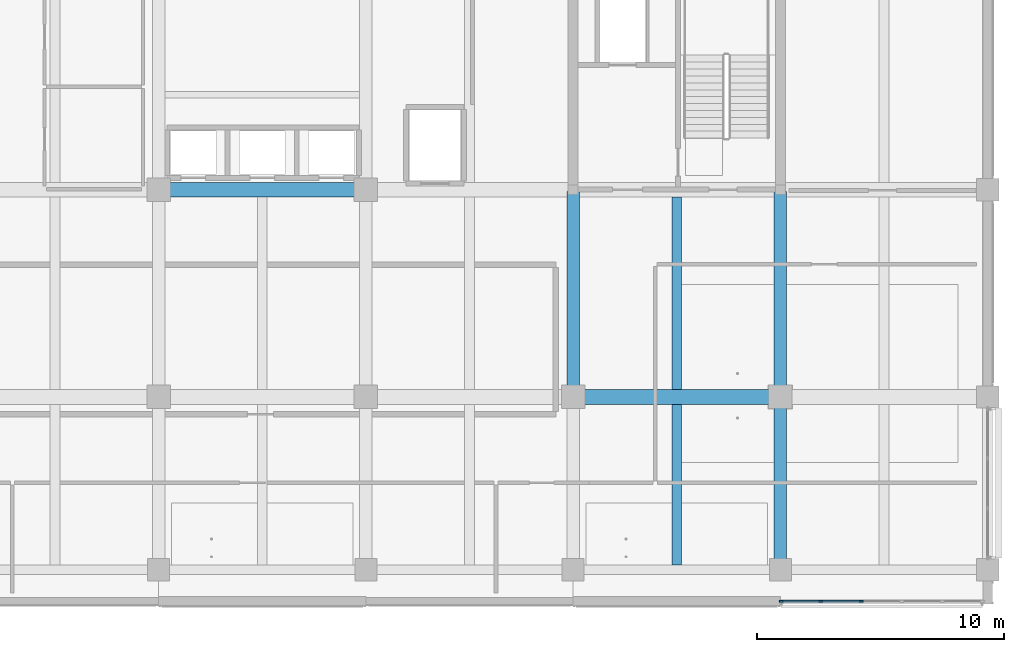
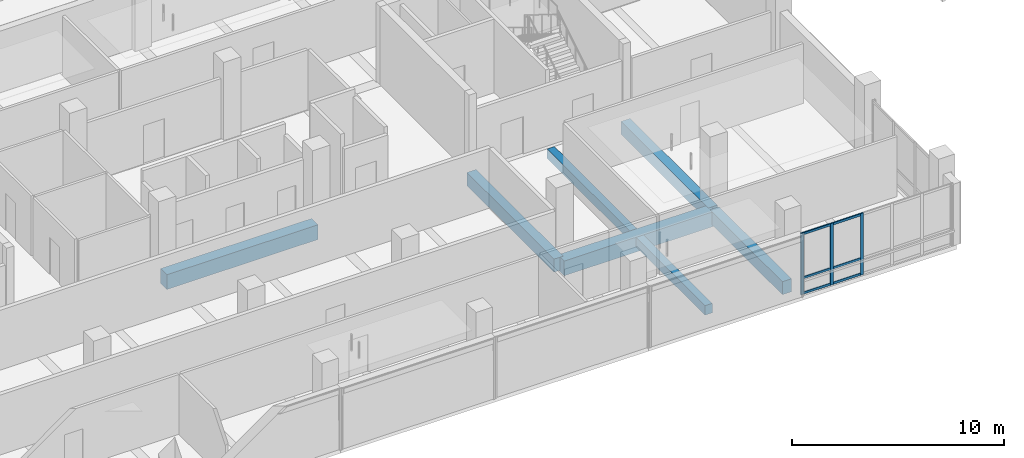
# One storey, part 13 of 59: 9 members, 7 beams, 1 element without a shape of its own.
"""IFC4 building model written with IfcOpenShell, lengths in metres."""

from ifc_helpers import new_model, si_unit, direction, frame, origin, origin_2d, place, context, subcontext, project, spatial, rectangle, extrude, material, layer, layer_set, material_profile, profile_set, type_object, element, aggregate, save


model = new_model("IFC4")

# Units and contexts
model_context = context("Model", 3, precision=1e-05, world=origin(), true_north=direction((0.0, 1.0)))
body_context = subcontext(model_context, "Body", "Model", "MODEL_VIEW")
ifc_project = project(units=[si_unit("LENGTHUNIT", "METRE"), si_unit("AREAUNIT", "SQUARE_METRE"), si_unit("VOLUMEUNIT", "CUBIC_METRE"), si_unit("PLANEANGLEUNIT", "RADIAN"), si_unit("MASSUNIT", "GRAM", prefix="KILO")], contexts=[model_context])

# Site, building, storey
site_placement = place(None, origin())
site = spatial("IfcSite", under=ifc_project, at=site_placement, CompositionType="ELEMENT")
building_placement = place(site_placement, origin())
building = spatial("IfcBuilding", under=site, at=building_placement, Name="Telukmera Botanical Conservatory", CompositionType="ELEMENT")
storey_placement = place(building_placement, frame((0.0, 0.0, 15.0)))
storey = spatial("IfcBuildingStorey", under=building, at=storey_placement, Name="L03", CompositionType="ELEMENT", Elevation=15.0)

# Beams
ifc_material_1 = material(Name="Concrete C40/50", Category="concrete")
ifc_material_profile_1 = material_profile(ifc_material_1, rectangle(XDim=0.60009765625, YDim=0.85009765625, at=origin_2d()), Name="RC 600x850")
ifc_profile_set_1 = profile_set([ifc_material_profile_1], Name="Concrete C40/50")
beam_type_1 = type_object("IfcBeamType", Name="Beam_B11", PredefinedType="BEAM", material=ifc_profile_set_1)
for number, where, z_axis, x_axis, name in (
    (1, (92.47998046875, 17.60009765625, -0.425048828125), (1.0, 0.0, 0.0), (0.0, 1.0, 0.0), "Tower Grid Beam L03"),
    (2, (75.679931640625, 26.0, -0.425048828125), (1.0, 0.0, 0.0), (0.0, 1.0, 0.0), "Tower Grid Beam L03"),
):
    element("IfcBeam", number, at=place(storey_placement, frame(where, z_axis=z_axis, x_axis=x_axis)), inside=storey, type_object=beam_type_1, Name=name, PredefinedType="BEAM", context=body_context, shape_type="SweptSolid", body=[
        extrude(rectangle(XDim=0.60009765625, YDim=0.85009765625, at=origin_2d()), origin(), (0.0, 0.0, 1.0), 8.239990234375),
    ])
ifc_material_profile_2 = material_profile(ifc_material_1, rectangle(XDim=0.5, YDim=0.75, at=origin_2d()), Name="RC 500x750")
ifc_profile_set_2 = profile_set([ifc_material_profile_2], Name="Concrete C40/50")
beam_type_2 = type_object("IfcBeamType", Name="Beam_B13", PredefinedType="BEAM", material=ifc_profile_set_2)
beam_1_placement = place(storey_placement, frame((92.39990234375, 17.679931640625, -0.375), z_axis=(0.0, 1.0, 0.0), x_axis=(-1.0, 0.0, 0.0)))
element("IfcBeam", 3, at=beam_1_placement, inside=storey, type_object=beam_type_2, Name="Tower Transverse Beam L03", PredefinedType="BEAM", context=body_context, shape_type="SweptSolid", body=[
    extrude(rectangle(XDim=0.5, YDim=0.75, at=origin_2d()), origin(), (0.0, 0.0, 1.0), 8.239990234375),
])
beam_2_placement = place(storey_placement, frame((100.800048828125, 10.679931640625, -0.375), z_axis=(0.0, 1.0, 0.0), x_axis=(-1.0, 0.0, 0.0)))
element("IfcBeam", 4, at=beam_2_placement, inside=storey, type_object=beam_type_2, Name="Tower Transverse Beam L03", PredefinedType="BEAM", context=body_context, shape_type="SweptSolid", body=[
    extrude(rectangle(XDim=0.5, YDim=0.75, at=origin_2d()), origin(), (0.0, 0.0, 1.0), 6.840087890625),
])
beam_3_placement = place(storey_placement, frame((100.800048828125, 17.679931640625, -0.375), z_axis=(0.0, 1.0, 0.0), x_axis=(-1.0, 0.0, 0.0)))
element("IfcBeam", 5, at=beam_3_placement, inside=storey, type_object=beam_type_2, Name="Tower Transverse Beam L03", PredefinedType="BEAM", context=body_context, shape_type="SweptSolid", body=[
    extrude(rectangle(XDim=0.5, YDim=0.75, at=origin_2d()), origin(), (0.0, 0.0, 1.0), 8.239990234375),
])
ifc_material_profile_3 = material_profile(ifc_material_1, rectangle(XDim=0.39990234375, YDim=0.550048828125, at=origin_2d()), Name="RC 400x550")
ifc_profile_set_3 = profile_set([ifc_material_profile_3], Name="Concrete C40/50")
beam_type_3 = type_object("IfcBeamType", Name="Beam_B19", PredefinedType="JOIST", material=ifc_profile_set_3)
beam_4_placement = place(storey_placement, frame((96.60009765625, 10.800048828125, -0.27490234375), z_axis=(0.0, 1.0, 0.0), x_axis=(-1.0, 0.0, 0.0)))
element("IfcBeam", 6, at=beam_4_placement, inside=storey, type_object=beam_type_3, Name="Tower Secondary Floor Joist L03", PredefinedType="JOIST", context=body_context, shape_type="SweptSolid", body=[
    extrude(rectangle(XDim=0.39990234375, YDim=0.550048828125, at=origin_2d()), origin(), (0.0, 0.0, 1.0), 6.5),
])
beam_5_placement = place(storey_placement, frame((96.60009765625, 17.89990234375, -0.27490234375), z_axis=(0.0, 1.0, 0.0), x_axis=(-1.0, 0.0, 0.0)))
element("IfcBeam", 7, at=beam_5_placement, inside=storey, type_object=beam_type_3, Name="Tower Secondary Floor Joist L03", PredefinedType="JOIST", context=body_context, shape_type="SweptSolid", body=[
    extrude(rectangle(XDim=0.39990234375, YDim=0.550048828125, at=origin_2d()), origin(), (0.0, 0.0, 1.0), 7.800048828125),
])

# Curtain wall, members
ifc_material_2 = material(Name="Anodised aluminium 6063-T6", Category="aluminium")
ifc_layer = layer(ifc_material_2, 0.179931640625)
ifc_layer_set = layer_set([ifc_layer], Name="Anodised aluminium 6063-T6")
curtain_wall_type = type_object("IfcCurtainWallType", Name="Tower Herbarium Curation Corner Curtain Wall", PredefinedType="USERDEFINED", material=ifc_layer_set)
curtain_wall_placement = place(storey_placement, origin())
curtain_wall = element("IfcCurtainWall", 8, at=curtain_wall_placement, inside=storey, type_object=curtain_wall_type, Name="Unitised Curtain Wall CW14 V4:L03:S7", ObjectType="UNITISED CURTAIN WALL", PredefinedType="USERDEFINED")
ifc_material_profile_4 = material_profile(ifc_material_2, rectangle(XDim=0.06494140625, YDim=0.159912109375, at=origin_2d()), Name="ALU MULL 65x160")
ifc_profile_set_4 = profile_set([ifc_material_profile_4], Name="Anodised aluminium 6063-T6")
member_type_1 = type_object("IfcMemberType", Name="Curtain Wall Extruded Mullion 65x160", PredefinedType="MULLION", material=ifc_profile_set_4)
member_1_placement = place(storey_placement, frame((100.83447265625, 9.320068359375, 0.0), z_axis=(0.0, 0.0, 1.0), x_axis=(0.0, 1.0, 0.0)))
member_1 = element("IfcMember", 9, at=member_1_placement, type_object=member_type_1, Name="CW14 mullion 1", PredefinedType="MULLION", context=body_context, shape_type="SweptSolid", body=[
    extrude(rectangle(XDim=0.06494140625, YDim=0.159912109375, at=origin_2d()), origin(), (0.0, 0.0, 1.0), 3.550048828125),
])
member_2_placement = place(storey_placement, frame((102.443115234375, 9.320068359375, 0.0), z_axis=(0.0, 0.0, 1.0), x_axis=(0.0, 1.0, 0.0)))
member_2 = element("IfcMember", 10, at=member_2_placement, type_object=member_type_1, Name="CW14 mullion 2", PredefinedType="MULLION", context=body_context, shape_type="SweptSolid", body=[
    extrude(rectangle(XDim=0.06494140625, YDim=0.159912109375, at=origin_2d()), origin(), (0.0, 0.0, 1.0), 3.550048828125),
])
member_3_placement = place(storey_placement, frame((104.08447265625, 9.320068359375, 0.0), z_axis=(0.0, 0.0, 1.0), x_axis=(0.0, 1.0, 0.0)))
member_3 = element("IfcMember", 11, at=member_3_placement, type_object=member_type_1, Name="CW14 mullion 3", PredefinedType="MULLION", context=body_context, shape_type="SweptSolid", body=[
    extrude(rectangle(XDim=0.06494140625, YDim=0.159912109375, at=origin_2d()), origin(), (0.0, 0.0, 1.0), 3.550048828125),
])
ifc_material_profile_5 = material_profile(ifc_material_2, rectangle(XDim=0.06494140625, YDim=0.1298828125, at=origin_2d()), Name="ALU TRAN 65x130")
ifc_profile_set_5 = profile_set([ifc_material_profile_5], Name="Anodised aluminium 6063-T6")
member_type_2 = type_object("IfcMemberType", Name="Curtain Wall Extruded Transom 65x130", PredefinedType="USERDEFINED", material=ifc_profile_set_5)
member_4_placement = place(storey_placement, frame((100.866943359375, 9.320068359375, 0.06494140625), z_axis=(1.0, 0.0, 0.0), x_axis=(0.0, 1.0, 0.0)))
member_4 = element("IfcMember", 12, at=member_4_placement, type_object=member_type_2, Name="CW14 transom 1.1", ObjectType="TRANSOM", PredefinedType="USERDEFINED", context=body_context, shape_type="SweptSolid", body=[
    extrude(rectangle(XDim=0.06494140625, YDim=0.1298828125, at=origin_2d()), origin(), (0.0, 0.0, 1.0), 1.543701171875),
])
member_5_placement = place(storey_placement, frame((100.866943359375, 9.320068359375, 0.949951171875), z_axis=(1.0, 0.0, 0.0), x_axis=(0.0, 1.0, 0.0)))
member_5 = element("IfcMember", 13, at=member_5_placement, type_object=member_type_2, Name="CW14 transom 1.2", ObjectType="TRANSOM", PredefinedType="USERDEFINED", context=body_context, shape_type="SweptSolid", body=[
    extrude(rectangle(XDim=0.06494140625, YDim=0.1298828125, at=origin_2d()), origin(), (0.0, 0.0, 1.0), 1.543701171875),
])
member_6_placement = place(storey_placement, frame((100.866943359375, 9.320068359375, 3.485107421875), z_axis=(1.0, 0.0, 0.0), x_axis=(0.0, 1.0, 0.0)))
member_6 = element("IfcMember", 14, at=member_6_placement, type_object=member_type_2, Name="CW14 transom 1.3", ObjectType="TRANSOM", PredefinedType="USERDEFINED", context=body_context, shape_type="SweptSolid", body=[
    extrude(rectangle(XDim=0.06494140625, YDim=0.1298828125, at=origin_2d()), origin(), (0.0, 0.0, 1.0), 1.543701171875),
])
member_7_placement = place(storey_placement, frame((102.4755859375, 9.320068359375, 0.06494140625), z_axis=(1.0, 0.0, 0.0), x_axis=(0.0, 1.0, 0.0)))
member_7 = element("IfcMember", 15, at=member_7_placement, type_object=member_type_2, Name="CW14 transom 2.1", ObjectType="TRANSOM", PredefinedType="USERDEFINED", context=body_context, shape_type="SweptSolid", body=[
    extrude(rectangle(XDim=0.06494140625, YDim=0.1298828125, at=origin_2d()), origin(), (0.0, 0.0, 1.0), 1.576416015625),
])
member_8_placement = place(storey_placement, frame((102.4755859375, 9.320068359375, 0.949951171875), z_axis=(1.0, 0.0, 0.0), x_axis=(0.0, 1.0, 0.0)))
member_8 = element("IfcMember", 16, at=member_8_placement, type_object=member_type_2, Name="CW14 transom 2.2", ObjectType="TRANSOM", PredefinedType="USERDEFINED", context=body_context, shape_type="SweptSolid", body=[
    extrude(rectangle(XDim=0.06494140625, YDim=0.1298828125, at=origin_2d()), origin(), (0.0, 0.0, 1.0), 1.576416015625),
])
member_9_placement = place(storey_placement, frame((102.4755859375, 9.320068359375, 3.485107421875), z_axis=(1.0, 0.0, 0.0), x_axis=(0.0, 1.0, 0.0)))
member_9 = element("IfcMember", 17, at=member_9_placement, type_object=member_type_2, Name="CW14 transom 2.3", ObjectType="TRANSOM", PredefinedType="USERDEFINED", context=body_context, shape_type="SweptSolid", body=[
    extrude(rectangle(XDim=0.06494140625, YDim=0.1298828125, at=origin_2d()), origin(), (0.0, 0.0, 1.0), 1.576416015625),
])
aggregate(curtain_wall, [member_1, member_2, member_3, member_4, member_5, member_6, member_7, member_8, member_9])

save(model, "model.ifc")
